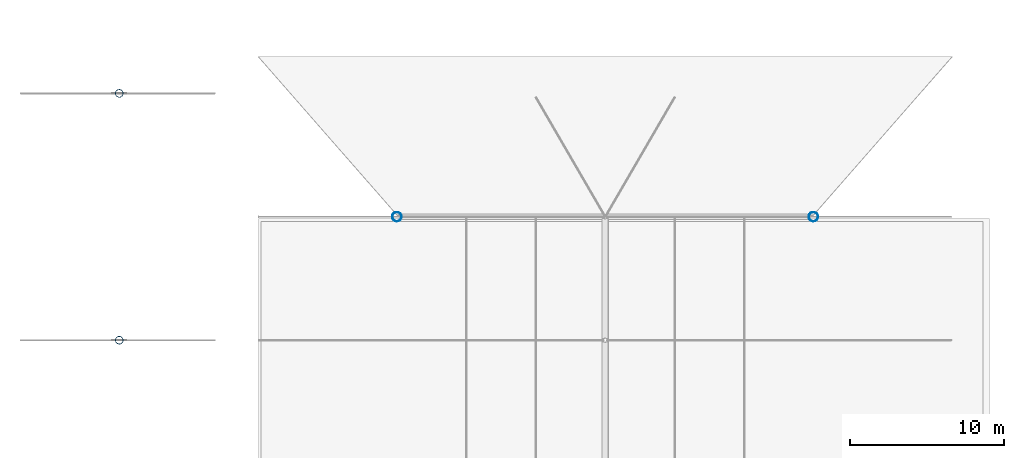
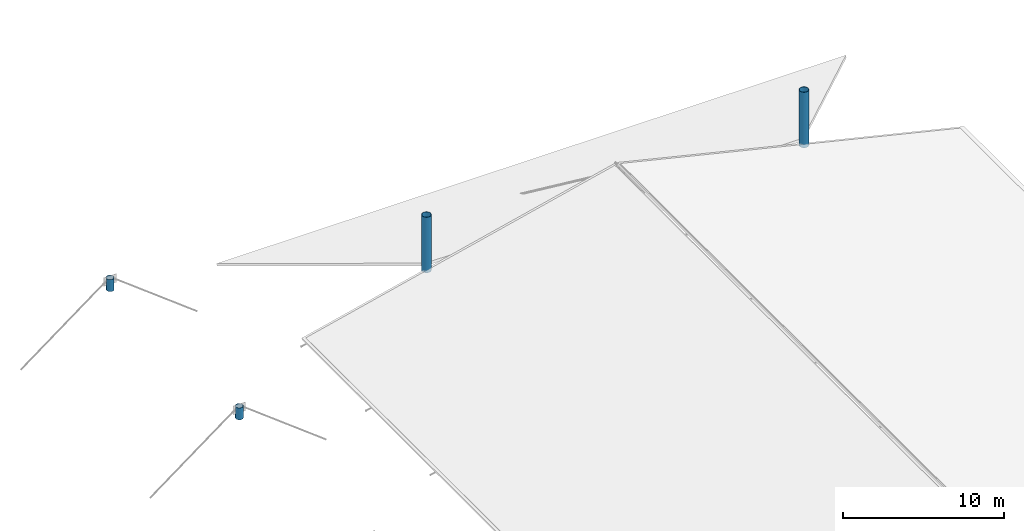
# One storey, part 4 of 71: 4 columns.
"""IFC4 building model written with IfcOpenShell, lengths in metres."""

from ifc_helpers import new_model, si_unit, derived_unit, direction, frame, origin, origin_2d, place, context, subcontext, project, spatial, hollow_circle, extrude, material, material_profile, profile_set, type_object, element, save


model = new_model("IFC4")

# Units and contexts
model_context = context("Model", 3, precision=1e-05, world=origin(), true_north=direction((0.0, 1.0)))
body_context = subcontext(model_context, "Body", "Model", "MODEL_VIEW")
ifc_project = project(units=[si_unit("LENGTHUNIT", "METRE"), si_unit("AREAUNIT", "SQUARE_METRE"), si_unit("VOLUMEUNIT", "CUBIC_METRE"), si_unit("PLANEANGLEUNIT", "RADIAN"), si_unit("MASSUNIT", "GRAM", prefix="KILO"), derived_unit("THERMALTRANSMITTANCEUNIT", [(si_unit("MASSUNIT", "GRAM", prefix="KILO"), 1), (si_unit("TIMEUNIT", "SECOND"), -3), (si_unit("THERMODYNAMICTEMPERATUREUNIT", "KELVIN"), -1)])], contexts=[model_context])

# Site, building, storey
site_placement = place(None, origin())
site = spatial("IfcSite", under=ifc_project, at=site_placement, CompositionType="ELEMENT")
building_placement = place(site_placement, origin())
building = spatial("IfcBuilding", under=site, at=building_placement, Name="Zhenchuan Archway Interchange", CompositionType="ELEMENT")
storey_placement = place(building_placement, frame((0.0, 0.0, 18.60009765625)))
storey = spatial("IfcBuildingStorey", under=building, at=storey_placement, Name="L04", CompositionType="ELEMENT", Elevation=18.60009765625)

# Columns
ifc_material = material(Name="Steel Q390", Category="steel")
ifc_material_profile_1 = material_profile(ifc_material, hollow_circle(Radius=0.25390625, WallThickness=0.01611328125, at=origin_2d()), Name="CHS 508x16")
ifc_profile_set_1 = profile_set([ifc_material_profile_1], Name="Steel Q390")
column_type_1 = type_object("IfcColumnType", Name="COL_STL_CHS508", PredefinedType="COLUMN", material=ifc_profile_set_1)
for number, where, z_axis, x_axis, name in (
    (1, (18.0, 72.0, 0.0), (0.0, 0.0, 1.0), (1.0, 0.0, 0.0), "Column 3/K (L04)"),
    (2, (18.0, 88.0, 0.0), (0.0, 0.0, 1.0), (1.0, 0.0, 0.0), "Column 3/M (L04)"),
):
    element("IfcColumn", number, at=place(storey_placement, frame(where, z_axis=z_axis, x_axis=x_axis)), inside=storey, type_object=column_type_1, Name=name, PredefinedType="COLUMN", context=body_context, shape_type="SweptSolid", body=[
        extrude(hollow_circle(Radius=0.25390625, WallThickness=0.01611328125, at=origin_2d()), origin(), (0.0, 0.0, 1.0), 0.89990234375),
    ])
ifc_material_profile_2 = material_profile(ifc_material, hollow_circle(Radius=0.304931640625, WallThickness=0.02001953125, at=origin_2d()), Name="CHS 610x20")
ifc_profile_set_2 = profile_set([ifc_material_profile_2], Name="Steel Q390")
column_type_2 = type_object("IfcColumnType", Name="COL_STL_CHS610", PredefinedType="COLUMN", material=ifc_profile_set_2)
for number, where, z_axis, x_axis, name in (
    (3, (36.0, 80.0, 0.0), (0.0, 0.0, 1.0), (1.0, 0.0, 0.0), "Column 5/L (L04)"),
    (4, (63.0, 80.0, 0.0), (0.0, 0.0, 1.0), (1.0, 0.0, 0.0), "Column 8/L (L04)"),
):
    element("IfcColumn", number, at=place(storey_placement, frame(where, z_axis=z_axis, x_axis=x_axis)), inside=storey, type_object=column_type_2, Name=name, PredefinedType="COLUMN", context=body_context, shape_type="SweptSolid", body=[
        extrude(hollow_circle(Radius=0.304931640625, WallThickness=0.02001953125, at=origin_2d()), origin(), (0.0, 0.0, 1.0), 4.199951171875),
    ])

save(model, "model.ifc")
